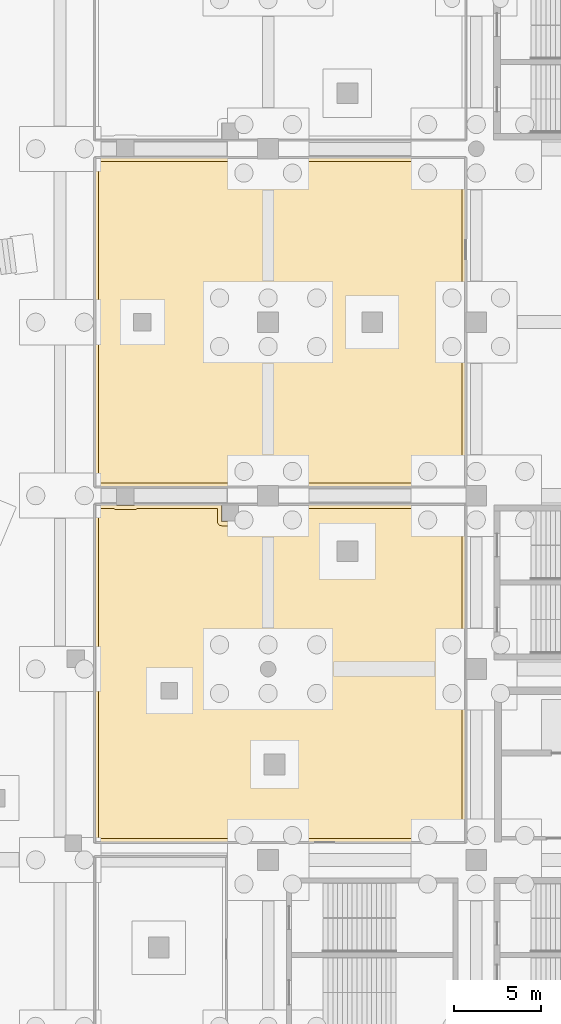
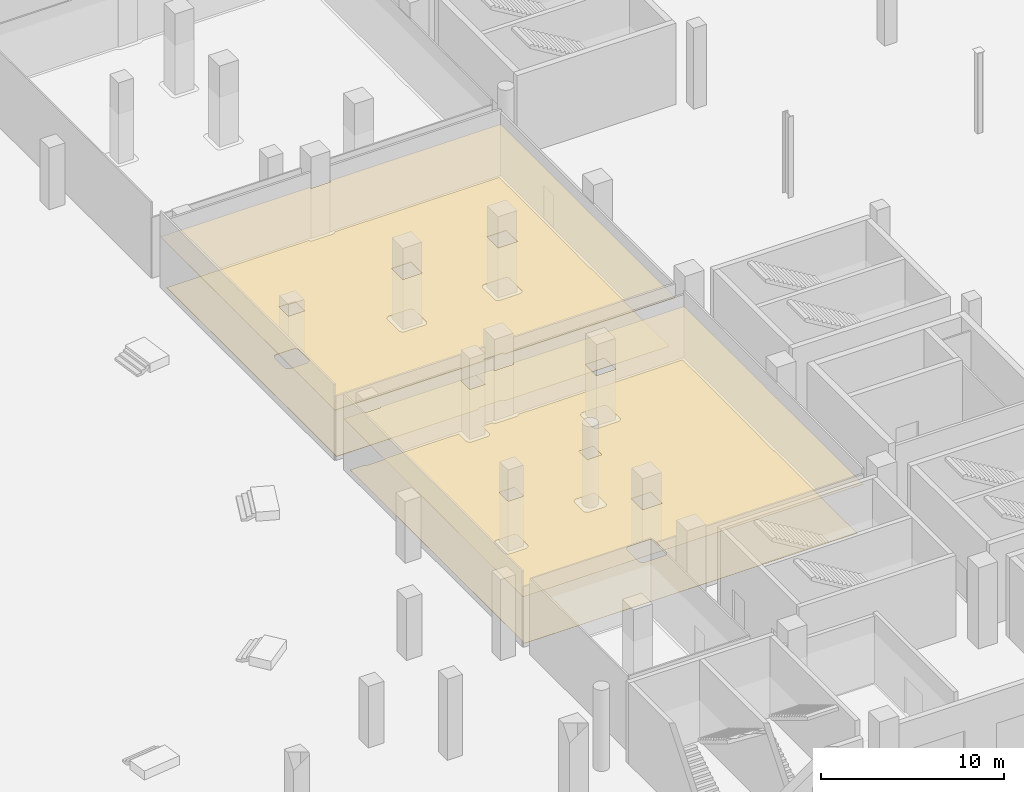
# One storey, part 67 of 70: 4 coverings.
"""IFC4 building model written with IfcOpenShell, lengths in metres."""

from ifc_helpers import new_model, si_unit, direction, frame, origin, place, context, subcontext, project, spatial, polyline, outline, extrude, material, layer, layer_set, type_object, element, save


model = new_model("IFC4")

# Units and contexts
model_context = context("Model", 3, precision=1e-05, world=origin(), true_north=direction((0.0, 1.0)))
body_context = subcontext(model_context, "Body", "Model", "MODEL_VIEW")
ifc_project = project(units=[si_unit("LENGTHUNIT", "METRE"), si_unit("AREAUNIT", "SQUARE_METRE"), si_unit("VOLUMEUNIT", "CUBIC_METRE"), si_unit("PLANEANGLEUNIT", "RADIAN"), si_unit("MASSUNIT", "GRAM", prefix="KILO")], contexts=[model_context])

# Site, building, storey
site_placement = place(None, origin())
site = spatial("IfcSite", under=ifc_project, at=site_placement, CompositionType="ELEMENT")
building_placement = place(site_placement, origin())
building = spatial("IfcBuilding", under=site, at=building_placement, Name="Brinegate Civic Arena", CompositionType="ELEMENT")
storey_placement = place(building_placement, origin())
storey = spatial("IfcBuildingStorey", under=building, at=storey_placement, Name="L00", CompositionType="ELEMENT", Elevation=0.0)

# Coverings
ifc_material_1 = material(Name="Acoustic perforated aluminium ceiling", Category="aluminium")
ifc_layer_1 = layer(ifc_material_1, 0.044921875, Name="Acoustic perforated aluminium ceiling")
ifc_layer_set_1 = layer_set([ifc_layer_1], Name="Acoustic perforated aluminium ceiling")
covering_type_1 = type_object("IfcCoveringType", Name="CEILING-BAFFLE-45", PredefinedType="CEILING", material=ifc_layer_set_1)
covering_1_placement = place(storey_placement, frame((0.0, 0.0, 3.304931640625)))
element("IfcCovering", 1, at=covering_1_placement, inside=storey, type_object=covering_type_1, Name="Acoustic Ceiling L00-002", PredefinedType="CEILING", context=body_context, shape_type="SweptSolid", body=[
    extrude(outline(polyline([(155.404052734375, 71.52001953125), (155.406005859375, 71.51904296875), (155.407958984375, 71.51806640625), (155.408935546875, 71.51806640625), (155.410888671875, 71.51708984375), (155.4130859375, 71.514892578125), (155.4140625, 71.513916015625), (155.4150390625, 71.512939453125), (155.4169921875, 71.510986328125), (155.41796875, 71.509033203125), (155.41796875, 71.508056640625), (155.4189453125, 71.506103515625), (155.419921875, 71.50390625), (155.419921875, 71.501953125), (155.419921875, 71.5), (155.419921875, 62.610107421875), (155.389892578125, 62.610107421875), (155.389892578125, 61.389892578125), (155.419921875, 61.389892578125), (155.419921875, 52.610107421875), (155.389892578125, 52.610107421875), (155.389892578125, 52.47998046875), (144.610107421875, 52.47998046875), (144.610107421875, 52.610107421875), (143.389892578125, 52.610107421875), (143.389892578125, 52.47998046875), (134.0, 52.47998046875), (133.998046875, 52.47998046875), (133.99609375, 52.47998046875), (133.993896484375, 52.48095703125), (133.991943359375, 52.48193359375), (133.990966796875, 52.48193359375), (133.989013671875, 52.48291015625), (133.987060546875, 52.485107421875), (133.986083984375, 52.486083984375), (133.985107421875, 52.487060546875), (133.98291015625, 52.489013671875), (133.98193359375, 52.490966796875), (133.98193359375, 52.491943359375), (133.98095703125, 52.493896484375), (133.97998046875, 52.49609375), (133.97998046875, 52.498046875), (133.97998046875, 52.5), (133.97998046875, 71.5), (133.97998046875, 71.501953125), (133.97998046875, 71.50390625), (133.98095703125, 71.506103515625), (133.98193359375, 71.508056640625), (133.98193359375, 71.509033203125), (133.98291015625, 71.510986328125), (133.985107421875, 71.512939453125), (133.986083984375, 71.513916015625), (133.987060546875, 71.514892578125), (133.989013671875, 71.51708984375), (133.990966796875, 71.51806640625), (133.991943359375, 71.51806640625), (133.993896484375, 71.51904296875), (133.99609375, 71.52001953125), (133.998046875, 71.52001953125), (134.0, 71.52001953125), (143.389892578125, 71.52001953125), (143.389892578125, 71.389892578125), (144.610107421875, 71.389892578125), (144.610107421875, 71.52001953125), (155.39990234375, 71.52001953125), (155.402099609375, 71.52001953125), (155.404052734375, 71.52001953125)]), holes=[polyline([(137.260009765625, 62.510009765625), (136.239990234375, 62.510009765625), (136.239990234375, 61.489990234375), (137.260009765625, 61.489990234375), (137.260009765625, 62.510009765625)]), polyline([(144.610107421875, 62.610107421875), (143.389892578125, 62.610107421875), (143.389892578125, 61.389892578125), (144.610107421875, 61.389892578125), (144.610107421875, 62.610107421875)]), polyline([(150.610107421875, 62.610107421875), (149.389892578125, 62.610107421875), (149.389892578125, 61.389892578125), (150.610107421875, 61.389892578125), (150.610107421875, 62.610107421875)])]), origin(), (0.0, 0.0, 1.0), 0.045166015625),
])
ifc_layer_2 = layer(ifc_material_1, 0.01806640625, Name="Acoustic perforated aluminium ceiling")
ifc_layer_set_2 = layer_set([ifc_layer_2], Name="Acoustic perforated aluminium ceiling")
covering_type_2 = type_object("IfcCoveringType", Name="CEILING-MOISTURE-18", PredefinedType="CEILING", material=ifc_layer_set_2)
covering_2_placement = place(storey_placement, frame((0.0, 0.0, 3.33203125)))
element("IfcCovering", 2, at=covering_2_placement, inside=storey, type_object=covering_type_2, Name="Acoustic Ceiling L00-003", PredefinedType="CEILING", context=body_context, shape_type="SweptSolid", body=[
    extrude(outline(polyline([(155.389892578125, 42.610107421875), (155.389892578125, 41.389892578125), (155.419921875, 41.389892578125), (155.419921875, 32.0), (155.419921875, 31.998046875), (155.419921875, 31.99609375), (155.4189453125, 31.993896484375), (155.41796875, 31.991943359375), (155.41796875, 31.990966796875), (155.4169921875, 31.989013671875), (155.4150390625, 31.987060546875), (155.4140625, 31.986083984375), (155.4130859375, 31.985107421875), (155.410888671875, 31.98291015625), (155.408935546875, 31.98193359375), (155.407958984375, 31.98193359375), (155.406005859375, 31.98095703125), (155.404052734375, 31.97998046875), (155.402099609375, 31.97998046875), (155.39990234375, 31.97998046875), (134.0, 31.97998046875), (133.998046875, 31.97998046875), (133.99609375, 31.97998046875), (133.993896484375, 31.98095703125), (133.991943359375, 31.98193359375), (133.990966796875, 31.98193359375), (133.989013671875, 31.98291015625), (133.987060546875, 31.985107421875), (133.986083984375, 31.986083984375), (133.985107421875, 31.987060546875), (133.98291015625, 31.989013671875), (133.98193359375, 31.990966796875), (133.98193359375, 31.991943359375), (133.98095703125, 31.993896484375), (133.97998046875, 31.99609375), (133.97998046875, 31.998046875), (133.97998046875, 32.0), (133.97998046875, 51.5), (133.97998046875, 51.501953125), (133.97998046875, 51.50390625), (133.98095703125, 51.506103515625), (133.98193359375, 51.508056640625), (133.98193359375, 51.509033203125), (133.98291015625, 51.510986328125), (133.985107421875, 51.512939453125), (133.986083984375, 51.513916015625), (133.987060546875, 51.514892578125), (133.989013671875, 51.51708984375), (133.990966796875, 51.51806640625), (133.991943359375, 51.51806640625), (133.993896484375, 51.51904296875), (133.99609375, 51.52001953125), (133.998046875, 51.52001953125), (134.0, 51.52001953125), (135.260009765625, 51.52001953125), (135.260009765625, 51.445068359375), (136.280029296875, 51.445068359375), (136.280029296875, 51.52001953125), (143.389892578125, 51.52001953125), (143.389892578125, 51.389892578125), (144.610107421875, 51.389892578125), (144.610107421875, 51.52001953125), (155.389892578125, 51.52001953125), (155.389892578125, 51.389892578125), (155.419921875, 51.389892578125), (155.419921875, 42.610107421875), (155.389892578125, 42.610107421875)]), holes=[polyline([(144.98291015625, 37.110107421875), (143.762939453125, 37.110107421875), (143.762939453125, 35.889892578125), (144.98291015625, 35.889892578125), (144.98291015625, 37.110107421875)]), polyline([(138.7958984375, 41.235107421875), (137.825927734375, 41.235107421875), (137.825927734375, 40.264892578125), (138.7958984375, 40.264892578125), (138.7958984375, 41.235107421875)]), polyline([(144.4599609375, 42.4599609375), (143.5400390625, 42.4599609375), (143.5400390625, 41.5400390625), (144.4599609375, 41.5400390625), (144.4599609375, 42.4599609375)]), polyline([(149.178955078125, 49.409912109375), (147.958984375, 49.409912109375), (147.958984375, 48.18994140625), (149.178955078125, 48.18994140625), (149.178955078125, 49.409912109375)]), polyline([(142.2919921875, 51.485107421875), (141.322021484375, 51.485107421875), (141.322021484375, 50.514892578125), (142.2919921875, 50.514892578125), (142.2919921875, 51.485107421875)])]), origin(), (0.0, 0.0, 1.0), 0.01806640625),
])
ifc_material_2 = material(Name="Polished coral terrazzo flooring")
ifc_layer_3 = layer(ifc_material_2, 0.013916015625, Name="Polished coral terrazzo flooring")
ifc_layer_set_3 = layer_set([ifc_layer_3], Name="Polished coral terrazzo flooring")
covering_type_3 = type_object("IfcCoveringType", Name="FLOORING-ACOUSTIC-14", PredefinedType="FLOORING", material=ifc_layer_set_3)
covering_3_placement = place(storey_placement, origin())
element("IfcCovering", 3, at=covering_3_placement, inside=storey, type_object=covering_type_3, Name="Flooring L00-003", PredefinedType="FLOORING", context=body_context, shape_type="SweptSolid", body=[
    extrude(outline(polyline([(134.22998046875, 32.22998046875), (134.22998046875, 51.27001953125), (135.08203125, 51.27001953125), (135.0830078125, 51.26806640625), (135.10107421875, 51.251953125), (135.12109375, 51.237060546875), (135.14208984375, 51.22509765625), (135.1640625, 51.214111328125), (135.18701171875, 51.2060546875), (135.2109375, 51.199951171875), (135.235107421875, 51.196044921875), (135.260009765625, 51.195068359375), (136.280029296875, 51.195068359375), (136.304931640625, 51.196044921875), (136.3291015625, 51.199951171875), (136.35302734375, 51.2060546875), (136.3759765625, 51.214111328125), (136.39794921875, 51.22509765625), (136.4189453125, 51.237060546875), (136.43896484375, 51.251953125), (136.45703125, 51.26806640625), (136.4580078125, 51.27001953125), (141.072021484375, 51.27001953125), (141.072021484375, 50.514892578125), (141.072998046875, 50.489990234375), (141.076904296875, 50.466064453125), (141.0830078125, 50.44189453125), (141.091064453125, 50.4189453125), (141.10205078125, 50.39697265625), (141.114013671875, 50.3759765625), (141.12890625, 50.35595703125), (141.14501953125, 50.337890625), (141.1630859375, 50.322021484375), (141.18310546875, 50.306884765625), (141.2041015625, 50.294921875), (141.22607421875, 50.283935546875), (141.2490234375, 50.27587890625), (141.27294921875, 50.27001953125), (141.297119140625, 50.26611328125), (141.322021484375, 50.264892578125), (142.2919921875, 50.264892578125), (142.31689453125, 50.26611328125), (142.341064453125, 50.27001953125), (142.364990234375, 50.27587890625), (142.387939453125, 50.283935546875), (142.409912109375, 50.294921875), (142.430908203125, 50.306884765625), (142.450927734375, 50.322021484375), (142.468994140625, 50.337890625), (142.485107421875, 50.35595703125), (142.5, 50.3759765625), (142.511962890625, 50.39697265625), (142.52294921875, 50.4189453125), (142.531005859375, 50.44189453125), (142.537109375, 50.466064453125), (142.541015625, 50.489990234375), (142.5419921875, 50.514892578125), (142.5419921875, 51.27001953125), (143.1708984375, 51.27001953125), (143.181884765625, 51.2509765625), (143.197021484375, 51.23095703125), (143.212890625, 51.212890625), (143.23095703125, 51.197021484375), (143.2509765625, 51.181884765625), (143.27197265625, 51.169921875), (143.2939453125, 51.158935546875), (143.31689453125, 51.15087890625), (143.341064453125, 51.14501953125), (143.364990234375, 51.14111328125), (143.389892578125, 51.139892578125), (144.610107421875, 51.139892578125), (144.635009765625, 51.14111328125), (144.658935546875, 51.14501953125), (144.68310546875, 51.15087890625), (144.7060546875, 51.158935546875), (144.72802734375, 51.169921875), (144.7490234375, 51.181884765625), (144.76904296875, 51.197021484375), (144.787109375, 51.212890625), (144.802978515625, 51.23095703125), (144.818115234375, 51.2509765625), (144.8291015625, 51.27001953125), (155.169921875, 51.27001953125), (155.169921875, 42.72900390625), (155.169921875, 42.72802734375), (155.158935546875, 42.7060546875), (155.15087890625, 42.68310546875), (155.14501953125, 42.658935546875), (155.14111328125, 42.635009765625), (155.139892578125, 42.610107421875), (155.139892578125, 41.389892578125), (155.14111328125, 41.364990234375), (155.14501953125, 41.341064453125), (155.15087890625, 41.31689453125), (155.158935546875, 41.2939453125), (155.169921875, 41.27197265625), (155.169921875, 41.27099609375), (155.169921875, 32.22998046875), (134.22998046875, 32.22998046875)]), holes=[polyline([(149.428955078125, 49.409912109375), (149.427978515625, 49.43505859375), (149.424072265625, 49.458984375), (149.41796875, 49.48291015625), (149.409912109375, 49.506103515625), (149.39892578125, 49.528076171875), (149.386962890625, 49.549072265625), (149.3720703125, 49.569091796875), (149.35595703125, 49.5869140625), (149.337890625, 49.60302734375), (149.318115234375, 49.617919921875), (149.297119140625, 49.6298828125), (149.27490234375, 49.64111328125), (149.251953125, 49.64892578125), (149.22802734375, 49.655029296875), (149.2041015625, 49.658935546875), (149.178955078125, 49.659912109375), (147.958984375, 49.659912109375), (147.93408203125, 49.658935546875), (147.909912109375, 49.655029296875), (147.885986328125, 49.64892578125), (147.863037109375, 49.64111328125), (147.841064453125, 49.6298828125), (147.820068359375, 49.617919921875), (147.800048828125, 49.60302734375), (147.781982421875, 49.5869140625), (147.76611328125, 49.569091796875), (147.7509765625, 49.549072265625), (147.739013671875, 49.528076171875), (147.72802734375, 49.506103515625), (147.719970703125, 49.48291015625), (147.714111328125, 49.458984375), (147.7099609375, 49.43505859375), (147.708984375, 49.409912109375), (147.708984375, 48.18994140625), (147.7099609375, 48.1650390625), (147.714111328125, 48.14111328125), (147.719970703125, 48.116943359375), (147.72802734375, 48.093994140625), (147.739013671875, 48.072021484375), (147.7509765625, 48.051025390625), (147.76611328125, 48.031005859375), (147.781982421875, 48.012939453125), (147.800048828125, 47.9970703125), (147.820068359375, 47.98193359375), (147.841064453125, 47.969970703125), (147.863037109375, 47.958984375), (147.885986328125, 47.950927734375), (147.909912109375, 47.945068359375), (147.93408203125, 47.94091796875), (147.958984375, 47.93994140625), (149.178955078125, 47.93994140625), (149.2041015625, 47.94091796875), (149.22802734375, 47.945068359375), (149.251953125, 47.950927734375), (149.27490234375, 47.958984375), (149.297119140625, 47.969970703125), (149.318115234375, 47.98193359375), (149.337890625, 47.9970703125), (149.35595703125, 48.012939453125), (149.3720703125, 48.031005859375), (149.386962890625, 48.051025390625), (149.39892578125, 48.072021484375), (149.409912109375, 48.093994140625), (149.41796875, 48.116943359375), (149.424072265625, 48.14111328125), (149.427978515625, 48.1650390625), (149.428955078125, 48.18994140625), (149.428955078125, 49.409912109375)]), polyline([(145.23291015625, 37.110107421875), (145.23193359375, 37.135009765625), (145.22802734375, 37.158935546875), (145.221923828125, 37.18310546875), (145.214111328125, 37.2060546875), (145.202880859375, 37.22802734375), (145.19091796875, 37.2490234375), (145.176025390625, 37.26904296875), (145.159912109375, 37.287109375), (145.14208984375, 37.302978515625), (145.1220703125, 37.318115234375), (145.10107421875, 37.330078125), (145.0791015625, 37.341064453125), (145.055908203125, 37.34912109375), (145.031982421875, 37.35498046875), (145.008056640625, 37.35888671875), (144.98291015625, 37.360107421875), (143.762939453125, 37.360107421875), (143.738037109375, 37.35888671875), (143.714111328125, 37.35498046875), (143.68994140625, 37.34912109375), (143.6669921875, 37.341064453125), (143.64501953125, 37.330078125), (143.6240234375, 37.318115234375), (143.60400390625, 37.302978515625), (143.5859375, 37.287109375), (143.570068359375, 37.26904296875), (143.554931640625, 37.2490234375), (143.54296875, 37.22802734375), (143.531982421875, 37.2060546875), (143.52392578125, 37.18310546875), (143.51806640625, 37.158935546875), (143.513916015625, 37.135009765625), (143.512939453125, 37.110107421875), (143.512939453125, 35.889892578125), (143.513916015625, 35.864990234375), (143.51806640625, 35.841064453125), (143.52392578125, 35.81689453125), (143.531982421875, 35.7939453125), (143.54296875, 35.77197265625), (143.554931640625, 35.7509765625), (143.570068359375, 35.73095703125), (143.5859375, 35.712890625), (143.60400390625, 35.697021484375), (143.6240234375, 35.681884765625), (143.64501953125, 35.669921875), (143.6669921875, 35.658935546875), (143.68994140625, 35.65087890625), (143.714111328125, 35.64501953125), (143.738037109375, 35.64111328125), (143.762939453125, 35.639892578125), (144.98291015625, 35.639892578125), (145.008056640625, 35.64111328125), (145.031982421875, 35.64501953125), (145.055908203125, 35.65087890625), (145.0791015625, 35.658935546875), (145.10107421875, 35.669921875), (145.1220703125, 35.681884765625), (145.14208984375, 35.697021484375), (145.159912109375, 35.712890625), (145.176025390625, 35.73095703125), (145.19091796875, 35.7509765625), (145.202880859375, 35.77197265625), (145.214111328125, 35.7939453125), (145.221923828125, 35.81689453125), (145.22802734375, 35.841064453125), (145.23193359375, 35.864990234375), (145.23291015625, 35.889892578125), (145.23291015625, 37.110107421875)]), polyline([(144.7099609375, 42.4599609375), (144.708984375, 42.485107421875), (144.705078125, 42.509033203125), (144.698974609375, 42.532958984375), (144.69091796875, 42.555908203125), (144.679931640625, 42.577880859375), (144.66796875, 42.59912109375), (144.653076171875, 42.618896484375), (144.636962890625, 42.636962890625), (144.618896484375, 42.653076171875), (144.59912109375, 42.66796875), (144.577880859375, 42.679931640625), (144.555908203125, 42.69091796875), (144.532958984375, 42.698974609375), (144.509033203125, 42.705078125), (144.485107421875, 42.708984375), (144.4599609375, 42.7099609375), (143.5400390625, 42.7099609375), (143.514892578125, 42.708984375), (143.490966796875, 42.705078125), (143.467041015625, 42.698974609375), (143.444091796875, 42.69091796875), (143.422119140625, 42.679931640625), (143.40087890625, 42.66796875), (143.381103515625, 42.653076171875), (143.363037109375, 42.636962890625), (143.346923828125, 42.618896484375), (143.33203125, 42.59912109375), (143.320068359375, 42.577880859375), (143.30908203125, 42.555908203125), (143.301025390625, 42.532958984375), (143.294921875, 42.509033203125), (143.291015625, 42.485107421875), (143.2900390625, 42.4599609375), (143.2900390625, 41.5400390625), (143.291015625, 41.514892578125), (143.294921875, 41.490966796875), (143.301025390625, 41.467041015625), (143.30908203125, 41.444091796875), (143.320068359375, 41.422119140625), (143.33203125, 41.40087890625), (143.346923828125, 41.381103515625), (143.363037109375, 41.363037109375), (143.381103515625, 41.346923828125), (143.40087890625, 41.33203125), (143.422119140625, 41.320068359375), (143.444091796875, 41.30908203125), (143.467041015625, 41.301025390625), (143.490966796875, 41.294921875), (143.514892578125, 41.291015625), (143.5400390625, 41.2900390625), (144.4599609375, 41.2900390625), (144.485107421875, 41.291015625), (144.509033203125, 41.294921875), (144.532958984375, 41.301025390625), (144.555908203125, 41.30908203125), (144.577880859375, 41.320068359375), (144.59912109375, 41.33203125), (144.618896484375, 41.346923828125), (144.636962890625, 41.363037109375), (144.653076171875, 41.381103515625), (144.66796875, 41.40087890625), (144.679931640625, 41.422119140625), (144.69091796875, 41.444091796875), (144.698974609375, 41.467041015625), (144.705078125, 41.490966796875), (144.708984375, 41.514892578125), (144.7099609375, 41.5400390625), (144.7099609375, 42.4599609375)]), polyline([(139.0458984375, 41.235107421875), (139.044921875, 41.260009765625), (139.041015625, 41.283935546875), (139.034912109375, 41.30810546875), (139.027099609375, 41.3310546875), (139.01611328125, 41.35302734375), (139.00390625, 41.3740234375), (138.989013671875, 41.39404296875), (138.972900390625, 41.412109375), (138.955078125, 41.427978515625), (138.93505859375, 41.443115234375), (138.9140625, 41.455078125), (138.89208984375, 41.466064453125), (138.868896484375, 41.47412109375), (138.844970703125, 41.47998046875), (138.821044921875, 41.48388671875), (138.7958984375, 41.485107421875), (137.825927734375, 41.485107421875), (137.801025390625, 41.48388671875), (137.777099609375, 41.47998046875), (137.7529296875, 41.47412109375), (137.72998046875, 41.466064453125), (137.7080078125, 41.455078125), (137.68701171875, 41.443115234375), (137.6669921875, 41.427978515625), (137.64892578125, 41.412109375), (137.633056640625, 41.39404296875), (137.617919921875, 41.3740234375), (137.60595703125, 41.35302734375), (137.594970703125, 41.3310546875), (137.5869140625, 41.30810546875), (137.5810546875, 41.283935546875), (137.576904296875, 41.260009765625), (137.575927734375, 41.235107421875), (137.575927734375, 40.264892578125), (137.576904296875, 40.239990234375), (137.5810546875, 40.216064453125), (137.5869140625, 40.19189453125), (137.594970703125, 40.1689453125), (137.60595703125, 40.14697265625), (137.617919921875, 40.1259765625), (137.633056640625, 40.10595703125), (137.64892578125, 40.087890625), (137.6669921875, 40.072021484375), (137.68701171875, 40.056884765625), (137.7080078125, 40.044921875), (137.72998046875, 40.033935546875), (137.7529296875, 40.02587890625), (137.777099609375, 40.02001953125), (137.801025390625, 40.01611328125), (137.825927734375, 40.014892578125), (138.7958984375, 40.014892578125), (138.821044921875, 40.01611328125), (138.844970703125, 40.02001953125), (138.868896484375, 40.02587890625), (138.89208984375, 40.033935546875), (138.9140625, 40.044921875), (138.93505859375, 40.056884765625), (138.955078125, 40.072021484375), (138.972900390625, 40.087890625), (138.989013671875, 40.10595703125), (139.00390625, 40.1259765625), (139.01611328125, 40.14697265625), (139.027099609375, 40.1689453125), (139.034912109375, 40.19189453125), (139.041015625, 40.216064453125), (139.044921875, 40.239990234375), (139.0458984375, 40.264892578125), (139.0458984375, 41.235107421875)])]), origin(), (0.0, 0.0, 1.0), 0.013916015625),
])
ifc_layer_4 = layer(ifc_material_2, 0.028076171875, Name="Polished coral terrazzo flooring")
ifc_layer_set_4 = layer_set([ifc_layer_4], Name="Polished coral terrazzo flooring")
covering_type_4 = type_object("IfcCoveringType", Name="FLOORING-TERRAZZO-28", PredefinedType="FLOORING", material=ifc_layer_set_4)
covering_4_placement = place(storey_placement, origin())
element("IfcCovering", 4, at=covering_4_placement, inside=storey, type_object=covering_type_4, Name="Flooring L00-002", PredefinedType="FLOORING", context=body_context, shape_type="SweptSolid", body=[
    extrude(outline(polyline([(134.22998046875, 71.27001953125), (143.1708984375, 71.27001953125), (143.181884765625, 71.2509765625), (143.197021484375, 71.23095703125), (143.212890625, 71.212890625), (143.23095703125, 71.197021484375), (143.2509765625, 71.181884765625), (143.27197265625, 71.169921875), (143.2939453125, 71.158935546875), (143.31689453125, 71.15087890625), (143.341064453125, 71.14501953125), (143.364990234375, 71.14111328125), (143.389892578125, 71.139892578125), (144.610107421875, 71.139892578125), (144.635009765625, 71.14111328125), (144.658935546875, 71.14501953125), (144.68310546875, 71.15087890625), (144.7060546875, 71.158935546875), (144.72802734375, 71.169921875), (144.7490234375, 71.181884765625), (144.76904296875, 71.197021484375), (144.787109375, 71.212890625), (144.802978515625, 71.23095703125), (144.818115234375, 71.2509765625), (144.8291015625, 71.27001953125), (155.169921875, 71.27001953125), (155.169921875, 62.72900390625), (155.169921875, 62.72802734375), (155.158935546875, 62.7060546875), (155.15087890625, 62.68310546875), (155.14501953125, 62.658935546875), (155.14111328125, 62.635009765625), (155.139892578125, 62.610107421875), (155.139892578125, 61.389892578125), (155.14111328125, 61.364990234375), (155.14501953125, 61.341064453125), (155.15087890625, 61.31689453125), (155.158935546875, 61.2939453125), (155.169921875, 61.27197265625), (155.169921875, 61.27099609375), (155.169921875, 52.72998046875), (144.8291015625, 52.72998046875), (144.818115234375, 52.7490234375), (144.802978515625, 52.76904296875), (144.787109375, 52.787109375), (144.76904296875, 52.802978515625), (144.7490234375, 52.818115234375), (144.72802734375, 52.830078125), (144.7060546875, 52.841064453125), (144.68310546875, 52.84912109375), (144.658935546875, 52.85498046875), (144.635009765625, 52.85888671875), (144.610107421875, 52.860107421875), (143.389892578125, 52.860107421875), (143.364990234375, 52.85888671875), (143.341064453125, 52.85498046875), (143.31689453125, 52.84912109375), (143.2939453125, 52.841064453125), (143.27197265625, 52.830078125), (143.2509765625, 52.818115234375), (143.23095703125, 52.802978515625), (143.212890625, 52.787109375), (143.197021484375, 52.76904296875), (143.181884765625, 52.7490234375), (143.1708984375, 52.72998046875), (134.22998046875, 52.72998046875), (134.22998046875, 71.27001953125)]), holes=[polyline([(150.860107421875, 62.610107421875), (150.85888671875, 62.635009765625), (150.85498046875, 62.658935546875), (150.84912109375, 62.68310546875), (150.841064453125, 62.7060546875), (150.830078125, 62.72802734375), (150.818115234375, 62.7490234375), (150.802978515625, 62.76904296875), (150.787109375, 62.787109375), (150.76904296875, 62.802978515625), (150.7490234375, 62.818115234375), (150.72802734375, 62.830078125), (150.7060546875, 62.841064453125), (150.68310546875, 62.84912109375), (150.658935546875, 62.85498046875), (150.635009765625, 62.85888671875), (150.610107421875, 62.860107421875), (149.389892578125, 62.860107421875), (149.364990234375, 62.85888671875), (149.341064453125, 62.85498046875), (149.31689453125, 62.84912109375), (149.2939453125, 62.841064453125), (149.27197265625, 62.830078125), (149.2509765625, 62.818115234375), (149.23095703125, 62.802978515625), (149.212890625, 62.787109375), (149.197021484375, 62.76904296875), (149.181884765625, 62.7490234375), (149.169921875, 62.72802734375), (149.158935546875, 62.7060546875), (149.15087890625, 62.68310546875), (149.14501953125, 62.658935546875), (149.14111328125, 62.635009765625), (149.139892578125, 62.610107421875), (149.139892578125, 61.389892578125), (149.14111328125, 61.364990234375), (149.14501953125, 61.341064453125), (149.15087890625, 61.31689453125), (149.158935546875, 61.2939453125), (149.169921875, 61.27197265625), (149.181884765625, 61.2509765625), (149.197021484375, 61.23095703125), (149.212890625, 61.212890625), (149.23095703125, 61.197021484375), (149.2509765625, 61.181884765625), (149.27197265625, 61.169921875), (149.2939453125, 61.158935546875), (149.31689453125, 61.15087890625), (149.341064453125, 61.14501953125), (149.364990234375, 61.14111328125), (149.389892578125, 61.139892578125), (150.610107421875, 61.139892578125), (150.635009765625, 61.14111328125), (150.658935546875, 61.14501953125), (150.68310546875, 61.15087890625), (150.7060546875, 61.158935546875), (150.72802734375, 61.169921875), (150.7490234375, 61.181884765625), (150.76904296875, 61.197021484375), (150.787109375, 61.212890625), (150.802978515625, 61.23095703125), (150.818115234375, 61.2509765625), (150.830078125, 61.27197265625), (150.841064453125, 61.2939453125), (150.84912109375, 61.31689453125), (150.85498046875, 61.341064453125), (150.85888671875, 61.364990234375), (150.860107421875, 61.389892578125), (150.860107421875, 62.610107421875)]), polyline([(144.860107421875, 62.610107421875), (144.85888671875, 62.635009765625), (144.85498046875, 62.658935546875), (144.84912109375, 62.68310546875), (144.841064453125, 62.7060546875), (144.830078125, 62.72802734375), (144.818115234375, 62.7490234375), (144.802978515625, 62.76904296875), (144.787109375, 62.787109375), (144.76904296875, 62.802978515625), (144.7490234375, 62.818115234375), (144.72802734375, 62.830078125), (144.7060546875, 62.841064453125), (144.68310546875, 62.84912109375), (144.658935546875, 62.85498046875), (144.635009765625, 62.85888671875), (144.610107421875, 62.860107421875), (143.389892578125, 62.860107421875), (143.364990234375, 62.85888671875), (143.341064453125, 62.85498046875), (143.31689453125, 62.84912109375), (143.2939453125, 62.841064453125), (143.27197265625, 62.830078125), (143.2509765625, 62.818115234375), (143.23095703125, 62.802978515625), (143.212890625, 62.787109375), (143.197021484375, 62.76904296875), (143.181884765625, 62.7490234375), (143.169921875, 62.72802734375), (143.158935546875, 62.7060546875), (143.15087890625, 62.68310546875), (143.14501953125, 62.658935546875), (143.14111328125, 62.635009765625), (143.139892578125, 62.610107421875), (143.139892578125, 61.389892578125), (143.14111328125, 61.364990234375), (143.14501953125, 61.341064453125), (143.15087890625, 61.31689453125), (143.158935546875, 61.2939453125), (143.169921875, 61.27197265625), (143.181884765625, 61.2509765625), (143.197021484375, 61.23095703125), (143.212890625, 61.212890625), (143.23095703125, 61.197021484375), (143.2509765625, 61.181884765625), (143.27197265625, 61.169921875), (143.2939453125, 61.158935546875), (143.31689453125, 61.15087890625), (143.341064453125, 61.14501953125), (143.364990234375, 61.14111328125), (143.389892578125, 61.139892578125), (144.610107421875, 61.139892578125), (144.635009765625, 61.14111328125), (144.658935546875, 61.14501953125), (144.68310546875, 61.15087890625), (144.7060546875, 61.158935546875), (144.72802734375, 61.169921875), (144.7490234375, 61.181884765625), (144.76904296875, 61.197021484375), (144.787109375, 61.212890625), (144.802978515625, 61.23095703125), (144.818115234375, 61.2509765625), (144.830078125, 61.27197265625), (144.841064453125, 61.2939453125), (144.84912109375, 61.31689453125), (144.85498046875, 61.341064453125), (144.85888671875, 61.364990234375), (144.860107421875, 61.389892578125), (144.860107421875, 62.610107421875)]), polyline([(137.510009765625, 62.510009765625), (137.509033203125, 62.534912109375), (137.5048828125, 62.55908203125), (137.4990234375, 62.5830078125), (137.490966796875, 62.60595703125), (137.47998046875, 62.6279296875), (137.468017578125, 62.64892578125), (137.452880859375, 62.6689453125), (137.43701171875, 62.68701171875), (137.4189453125, 62.702880859375), (137.39892578125, 62.718017578125), (137.3779296875, 62.72998046875), (137.35595703125, 62.740966796875), (137.3330078125, 62.7490234375), (137.30908203125, 62.7548828125), (137.284912109375, 62.759033203125), (137.260009765625, 62.760009765625), (136.239990234375, 62.760009765625), (136.215087890625, 62.759033203125), (136.19091796875, 62.7548828125), (136.1669921875, 62.7490234375), (136.14404296875, 62.740966796875), (136.1220703125, 62.72998046875), (136.10107421875, 62.718017578125), (136.0810546875, 62.702880859375), (136.06298828125, 62.68701171875), (136.047119140625, 62.6689453125), (136.031982421875, 62.64892578125), (136.02001953125, 62.6279296875), (136.009033203125, 62.60595703125), (136.0009765625, 62.5830078125), (135.9951171875, 62.55908203125), (135.990966796875, 62.534912109375), (135.989990234375, 62.510009765625), (135.989990234375, 61.489990234375), (135.990966796875, 61.465087890625), (135.9951171875, 61.44091796875), (136.0009765625, 61.4169921875), (136.009033203125, 61.39404296875), (136.02001953125, 61.3720703125), (136.031982421875, 61.35107421875), (136.047119140625, 61.3310546875), (136.06298828125, 61.31298828125), (136.0810546875, 61.297119140625), (136.10107421875, 61.281982421875), (136.1220703125, 61.27001953125), (136.14404296875, 61.259033203125), (136.1669921875, 61.2509765625), (136.19091796875, 61.2451171875), (136.215087890625, 61.240966796875), (136.239990234375, 61.239990234375), (137.260009765625, 61.239990234375), (137.284912109375, 61.240966796875), (137.30908203125, 61.2451171875), (137.3330078125, 61.2509765625), (137.35595703125, 61.259033203125), (137.3779296875, 61.27001953125), (137.39892578125, 61.281982421875), (137.4189453125, 61.297119140625), (137.43701171875, 61.31298828125), (137.452880859375, 61.3310546875), (137.468017578125, 61.35107421875), (137.47998046875, 61.3720703125), (137.490966796875, 61.39404296875), (137.4990234375, 61.4169921875), (137.5048828125, 61.44091796875), (137.509033203125, 61.465087890625), (137.510009765625, 61.489990234375), (137.510009765625, 62.510009765625)])]), origin(), (0.0, 0.0, 1.0), 0.028076171875),
])

save(model, "model.ifc")
